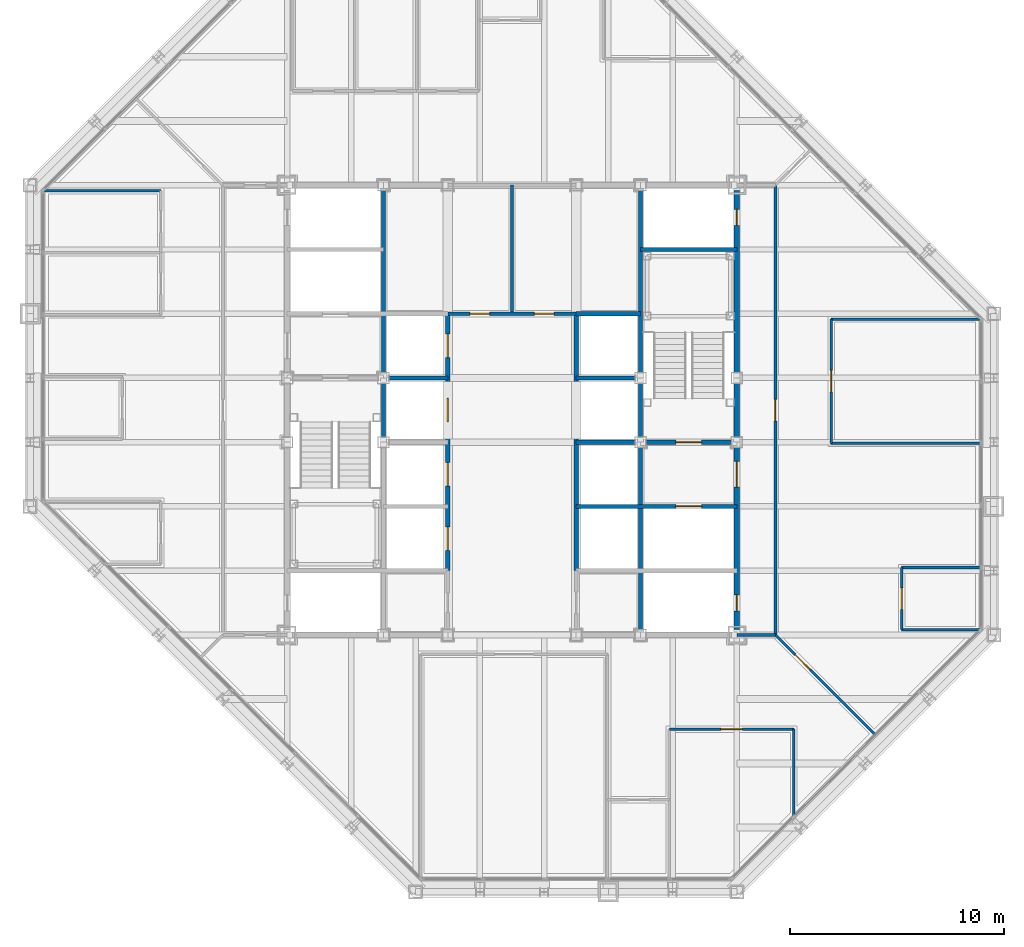
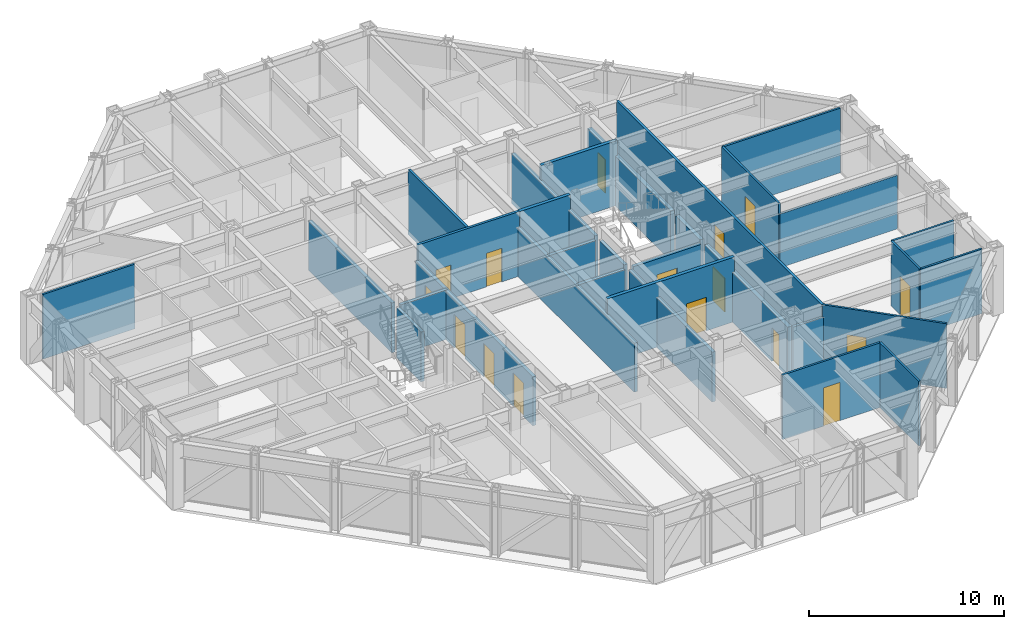
# One storey, part 12 of 16: 31 walls, 16 doors, 16 openings.
"""IFC4 building model written with IfcOpenShell, lengths in metres."""

import ifcopenshell
import ifcopenshell.guid

model = None  # the IFC model being written
_history = None  # IfcOwnerHistory: only IFC2X3 demands one
_inside = {}  # id of a spatial element -> (the spatial element, [elements in it])
_under = {}  # id of a project, library or spatial element -> (it, [spatial elements below it])
_declared = {}  # id of a project -> (the project, [libraries it declares])
_typed = {}  # id of a type object -> (the type object, [elements of that type])
_made_of = {}  # id of a material, layer set ... -> (it, [elements and type objects made of it])


def new_model(schema):
    """Start an empty IFC model of exactly this schema.

    Asked for "IFC4X3", IfcOpenShell would pick the latest addendum, in which some entities
    have other attributes; the version numbers below select the first issue.
    IFC2X3 requires an IfcOwnerHistory on every rooted entity: one is made here for all.
    """
    global model, _history
    if schema == "IFC4X3":
        model = ifcopenshell.file(schema_version=(4, 3, 0, 0))
    else:
        model = ifcopenshell.file(schema=schema)
    _inside.clear()
    _under.clear()
    _declared.clear()
    _typed.clear()
    _made_of.clear()
    _history = None
    if model.schema == "IFC2X3":
        org = make("IfcOrganization", Name="unknown")
        user = make(
            "IfcPersonAndOrganization",
            ThePerson=make("IfcPerson", FamilyName="unknown"),
            TheOrganization=org,
        )
        app = make(
            "IfcApplication",
            ApplicationDeveloper=org,
            Version="unknown",
            ApplicationFullName="unknown",
            ApplicationIdentifier="unknown",
        )
        _history = make(
            "IfcOwnerHistory",
            OwningUser=user,
            OwningApplication=app,
            ChangeAction="ADDED",
            CreationDate=0,
        )
    return model


def make(cls, **values):
    """One entity of the class cls with the attributes given. An attribute that is None is left unset."""
    return model.create_entity(
        cls, **{name: value for name, value in values.items() if value is not None}
    )


def rooted(cls, **values):
    """An entity with a GlobalId (a new one), such as an element, a storey or a relation."""
    return make(cls, GlobalId=ifcopenshell.guid.new(), OwnerHistory=_history, **values)


def si_unit(unit_type, name, prefix=None):
    """IfcSIUnit, for example si_unit("LENGTHUNIT", "METRE", prefix="MILLI")."""
    return make("IfcSIUnit", UnitType=unit_type, Prefix=prefix, Name=name)


def assignment(units):
    """IfcUnitAssignment: the units of a project."""
    return None if units is None else make("IfcUnitAssignment", Units=units)


def point(xyz):
    """IfcCartesianPoint."""
    return None if xyz is None else make("IfcCartesianPoint", Coordinates=xyz)


def direction(xyz):
    """IfcDirection."""
    return None if xyz is None else make("IfcDirection", DirectionRatios=xyz)


def frame(location, z_axis=None, x_axis=None):
    """IfcAxis2Placement3D, a coordinate frame: its origin and axes. An axis left out is left unset."""
    return make(
        "IfcAxis2Placement3D",
        Location=point(location),
        Axis=direction(z_axis),
        RefDirection=direction(x_axis),
    )


def frame_2d(location, x_axis=None):
    """IfcAxis2Placement2D, a coordinate frame in the plane: its origin and x axis."""
    return make(
        "IfcAxis2Placement2D", Location=point(location), RefDirection=direction(x_axis)
    )


def origin():
    """The frame at (0, 0, 0) with its axes left unset."""
    return frame((0.0, 0.0, 0.0))


def place(relative_to, where):
    """IfcLocalPlacement: puts the frame where relative to a parent placement (None: the world)."""
    return make(
        "IfcLocalPlacement", PlacementRelTo=relative_to, RelativePlacement=where
    )


def context(
    kind, dimensions, precision=None, world=None, true_north=None, identifier=None
):
    """IfcGeometricRepresentationContext, for example the 3D "Model" context."""
    return make(
        "IfcGeometricRepresentationContext",
        ContextIdentifier=identifier,
        ContextType=kind,
        CoordinateSpaceDimension=dimensions,
        Precision=precision,
        WorldCoordinateSystem=world,
        TrueNorth=true_north,
    )


def subcontext(parent, identifier, kind, view, scale=None):
    """IfcGeometricRepresentationSubContext, for example "Body" below "Model"."""
    return make(
        "IfcGeometricRepresentationSubContext",
        ContextIdentifier=identifier,
        ContextType=kind,
        ParentContext=parent,
        TargetScale=scale,
        TargetView=view,
    )


def project(units=None, contexts=None):
    """IfcProject with its units and contexts."""
    return rooted(
        "IfcProject",
        Name="project",
        RepresentationContexts=contexts,
        UnitsInContext=assignment(units),
    )


def spatial(cls, under=None, at=None, **own):
    """A site, building, storey or space (cls), placed at a placement, below another one or the project."""
    s = rooted(cls, ObjectPlacement=at, **own)
    if under is not None:
        _under.setdefault(under.id(), (under, []))[1].append(s)
    return s


def profile(cls, at=None, kind="AREA", **sizes):
    """A parametric profile (cls). Its sizes go by their IFC names, for example OverallWidth=200.0."""
    return make(cls, ProfileType=kind, Position=at, **sizes)


def rectangle(**sizes):
    """IfcRectangleProfileDef."""
    return profile("IfcRectangleProfileDef", **sizes)


def extrude(swept, where, along, depth):
    """IfcExtrudedAreaSolid: the profile swept, set in the frame where, extruded along a direction by depth."""
    return make(
        "IfcExtrudedAreaSolid",
        SweptArea=swept,
        Position=where,
        ExtrudedDirection=direction(along),
        Depth=depth,
    )


def shape(context_of_items, identifier, shape_type, items):
    """IfcShapeRepresentation: the items that make up one representation, for example the "Body"."""
    return make(
        "IfcShapeRepresentation",
        ContextOfItems=context_of_items,
        RepresentationIdentifier=identifier,
        RepresentationType=shape_type,
        Items=items,
    )


def material(Name=None, Category=None):
    """IfcMaterial."""
    return make("IfcMaterial", Name=Name, Category=Category)


def layer(
    of_material, thickness, ventilated=None, Name=None, Category=None, Priority=None
):
    """IfcMaterialLayer: one layer of a wall or slab, of a material (None: an air gap)."""
    return make(
        "IfcMaterialLayer",
        Material=of_material,
        LayerThickness=thickness,
        IsVentilated=ventilated,
        Name=Name,
        Category=Category,
        Priority=Priority,
    )


def layer_set(layers, Name=None):
    """IfcMaterialLayerSet."""
    return make("IfcMaterialLayerSet", MaterialLayers=layers, LayerSetName=Name)


def made_of(thing, what):
    """Note that an element or type object is made of a material, layer set ...; save() writes the relation."""
    if what is not None:
        _made_of.setdefault(what.id(), (what, []))[1].append(thing)
    return thing


def type_object(cls, material=None, **own):
    """A type object (cls), such as IfcWallType, which elements share."""
    return made_of(rooted(cls, **own), material)


def element(
    cls,
    number,
    at=None,
    inside=None,
    cuts=None,
    type_object=None,
    material=None,
    context=None,
    identifier="Body",
    shape_type=None,
    held_by="IfcProductDefinitionShape",
    body=None,
    shapes=None,
    **own,
):
    """One element of the class cls, such as IfcWall. Its Tag is "e" and its number.

    at: its placement. inside: the storey or other place that contains it. cuts: it is an
    opening in that element (IfcRelVoidsElement). A single representation is given by context,
    identifier, shape_type and body (its items); several are given by shapes. held_by: the class
    of the entity that holds the representations. save() writes the other relations.
    """
    e = rooted(cls, Tag="e%d" % number, ObjectPlacement=at, **own)
    if body is not None:
        shapes = [shape(context, identifier, shape_type, body)]
    if shapes is not None:
        e.Representation = make(held_by, Representations=shapes)
    if inside is not None:
        _inside.setdefault(inside.id(), (inside, []))[1].append(e)
    if cuts is not None:
        rooted(
            "IfcRelVoidsElement", RelatingBuildingElement=cuts, RelatedOpeningElement=e
        )
    if type_object is not None:
        _typed.setdefault(type_object.id(), (type_object, []))[1].append(e)
    return made_of(e, material)


def fill(opening, filler):
    """IfcRelFillsElement: the door or window that sits in an opening."""
    return rooted(
        "IfcRelFillsElement",
        RelatingOpeningElement=opening,
        RelatedBuildingElement=filler,
    )


def aggregate(whole, parts):
    """IfcRelAggregates: a whole, such as a stair, and the parts it consists of."""
    return rooted("IfcRelAggregates", RelatingObject=whole, RelatedObjects=parts)


def save(model, path):
    """Write the relations noted so far, then the file.

    IfcRelAggregates (storeys below a building ...), IfcRelContainedInSpatialStructure (elements
    in a storey), IfcRelDefinesByType, IfcRelAssociatesMaterial and IfcRelDeclares: one each for
    every whole, place, type object, material and project.
    """
    for whole, parts in _under.values():
        aggregate(whole, parts)
    for where, things in _inside.values():
        rooted(
            "IfcRelContainedInSpatialStructure",
            RelatedElements=things,
            RelatingStructure=where,
        )
    for kind, things in _typed.values():
        rooted("IfcRelDefinesByType", RelatedObjects=things, RelatingType=kind)
    for what, things in _made_of.values():
        rooted("IfcRelAssociatesMaterial", RelatedObjects=things, RelatingMaterial=what)
    for by, libraries in _declared.values():
        rooted("IfcRelDeclares", RelatingContext=by, RelatedDefinitions=libraries)
    model.write(path)


model = new_model("IFC4")

# Units and contexts
model_context = context("Model", 3, precision=1e-05, world=origin(), true_north=direction((0.0, 1.0)))
body_context = subcontext(model_context, "Body", "Model", "MODEL_VIEW")
ifc_project = project(units=[si_unit("LENGTHUNIT", "METRE"), si_unit("AREAUNIT", "SQUARE_METRE"), si_unit("VOLUMEUNIT", "CUBIC_METRE"), si_unit("PLANEANGLEUNIT", "RADIAN"), si_unit("MASSUNIT", "GRAM", prefix="KILO")], contexts=[model_context])

# Site, building, storey
site_placement = place(None, origin())
site = spatial("IfcSite", under=ifc_project, at=site_placement, CompositionType="ELEMENT")
building_placement = place(site_placement, origin())
building = spatial("IfcBuilding", under=site, at=building_placement, Name="Chuquiago Exchange Tower", CompositionType="ELEMENT")
storey_placement = place(building_placement, frame((0.0, 0.0, 239.10009765625)))
storey = spatial("IfcBuildingStorey", under=building, at=storey_placement, Name="L53", CompositionType="ELEMENT", Elevation=239.10009765625)

# Wall, openings, doors
ifc_material_1 = material(Name="Concrete masonry, fully grouted", Category="masonry")
ifc_layer_1 = layer(ifc_material_1, 0.25)
ifc_layer_set_1 = layer_set([ifc_layer_1], Name="W1 core wall 250")
wall_type_1 = type_object("IfcWallType", Name="W1 core wall 250", PredefinedType="SOLIDWALL", material=ifc_layer_set_1)
wall_1_placement = place(storey_placement, frame((33.0, 12.25, 0.0), z_axis=(0.0, 0.0, 1.0), x_axis=(0.0, 1.0, 0.0)))
wall_1 = element("IfcWall", 1, at=wall_1_placement, inside=storey, type_object=wall_type_1, Name="CW-L53-25-0", PredefinedType="SOLIDWALL", context=body_context, shape_type="SweptSolid", body=[
    extrude(rectangle(XDim=8.5, YDim=0.25, at=frame_2d((4.25, 0.0))), origin(), (0.0, 0.0, 1.0), 3.11279296875),
])
opening_1_placement = place(wall_1_placement, frame((6.64990234375, 0.0, 0.0)))
opening_1 = element("IfcOpeningElement", 2, at=opening_1_placement, cuts=wall_1, Name="Opening L53-004", PredefinedType="OPENING", context=body_context, shape_type="SweptSolid", body=[
    extrude(rectangle(XDim=1.199951171875, YDim=2.10009765625, at=frame_2d((0.60009765625, 1.050048828125))), frame((0.0, 0.135009765625, 0.0), z_axis=(0.0, -1.0, 0.0), x_axis=(1.0, 0.0, 0.0)), (0.0, 0.0, 1.0), 0.27001953125),
])
opening_2_placement = place(wall_1_placement, frame((0.875, 0.0, 0.0)))
opening_2 = element("IfcOpeningElement", 3, at=opening_2_placement, cuts=wall_1, Name="Opening L53-009", PredefinedType="OPENING", context=body_context, shape_type="SweptSolid", body=[
    extrude(rectangle(XDim=0.75, YDim=2.10009765625, at=frame_2d((0.375, 1.050048828125))), frame((0.0, 0.135009765625, 0.0), z_axis=(0.0, -1.0, 0.0), x_axis=(1.0, 0.0, 0.0)), (0.0, 0.0, 1.0), 0.27001953125),
])
ifc_material_2 = material(Name="Steel door, painted", Category="steel")
door_type_1 = type_object("IfcDoorType", Name="D5 firefighting lobby door 1200x2100", OperationType="SINGLE_SWING_LEFT", PredefinedType="DOOR", material=ifc_material_2)
door_1_placement = place(opening_1_placement, origin())
door_1 = element("IfcDoor", 4, at=door_1_placement, inside=storey, type_object=door_type_1, Name="Firefighting lobby 2 door", OperationType="SINGLE_SWING_RIGHT", OverallHeight=2.10009765625, OverallWidth=1.199951171875, PredefinedType="DOOR", context=body_context, shape_type="SweptSolid", body=[
    extrude(rectangle(XDim=1.199951171875, YDim=2.10009765625, at=frame_2d((0.60009765625, 1.050048828125))), frame((0.0, 0.02490234375, 0.0), z_axis=(0.0, -1.0, 0.0), x_axis=(1.0, 0.0, 0.0)), (0.0, 0.0, 1.0), 0.050048828125),
])
fill(opening_1, door_1)
ifc_material_3 = material(Name="Steel door, painted", Category="steel")
door_type_2 = type_object("IfcDoorType", Name="D6 riser access door 750x2100", OperationType="SINGLE_SWING_LEFT", PredefinedType="DOOR", material=ifc_material_3)
door_2_placement = place(opening_2_placement, frame((0.75, 0.0, 0.0), z_axis=(0.0, 0.0, 1.0), x_axis=(-1.0, 0.0, 0.0)))
door_2 = element("IfcDoor", 5, at=door_2_placement, inside=storey, type_object=door_type_2, Name="Riser RE1 door", OperationType="SINGLE_SWING_RIGHT", OverallHeight=2.10009765625, OverallWidth=0.75, PredefinedType="DOOR", context=body_context, shape_type="SweptSolid", body=[
    extrude(rectangle(XDim=0.75, YDim=2.10009765625, at=frame_2d((0.375, 1.050048828125))), frame((0.0, 0.02490234375, 0.0), z_axis=(0.0, -1.0, 0.0), x_axis=(1.0, 0.0, 0.0)), (0.0, 0.0, 1.0), 0.050048828125),
])
fill(opening_2, door_2)

# Wall
wall_2_placement = place(storey_placement, frame((33.0, 21.25, 0.0), z_axis=(0.0, 0.0, 1.0), x_axis=(0.0, 1.0, 0.0)))
element("IfcWall", 6, at=wall_2_placement, inside=storey, type_object=wall_type_1, Name="CW-L53-25-1", PredefinedType="SOLIDWALL", context=body_context, shape_type="SweptSolid", body=[
    extrude(rectangle(XDim=2.5, YDim=0.25, at=frame_2d((1.25, 0.0))), origin(), (0.0, 0.0, 1.0), 3.11279296875),
])

# Wall, opening, door
wall_3_placement = place(storey_placement, frame((33.0, 24.25, 0.0), z_axis=(0.0, 0.0, 1.0), x_axis=(0.0, 1.0, 0.0)))
wall_3 = element("IfcWall", 7, at=wall_3_placement, inside=storey, type_object=wall_type_1, Name="CW-L53-25-2", PredefinedType="SOLIDWALL", context=body_context, shape_type="SweptSolid", body=[
    extrude(rectangle(XDim=8.5, YDim=0.25, at=frame_2d((4.25, 0.0))), origin(), (0.0, 0.0, 1.0), 3.11279296875),
])
opening_3_placement = place(wall_3_placement, frame((6.875, 0.0, 0.0)))
opening_3 = element("IfcOpeningElement", 8, at=opening_3_placement, cuts=wall_3, Name="Opening L53-010", PredefinedType="OPENING", context=body_context, shape_type="SweptSolid", body=[
    extrude(rectangle(XDim=0.75, YDim=2.10009765625, at=frame_2d((0.375, 1.050048828125))), frame((0.0, 0.135009765625, 0.0), z_axis=(0.0, -1.0, 0.0), x_axis=(1.0, 0.0, 0.0)), (0.0, 0.0, 1.0), 0.27001953125),
])
door_3_placement = place(opening_3_placement, frame((0.75, 0.0, 0.0), z_axis=(0.0, 0.0, 1.0), x_axis=(-1.0, 0.0, 0.0)))
door_3 = element("IfcDoor", 9, at=door_3_placement, inside=storey, type_object=door_type_2, Name="Riser RE2 door", OperationType="SINGLE_SWING_LEFT", OverallHeight=2.10009765625, OverallWidth=0.75, PredefinedType="DOOR", context=body_context, shape_type="SweptSolid", body=[
    extrude(rectangle(XDim=0.75, YDim=2.10009765625, at=frame_2d((0.375, 1.050048828125))), frame((0.0, 0.02490234375, 0.0), z_axis=(0.0, -1.0, 0.0), x_axis=(1.0, 0.0, 0.0)), (0.0, 0.0, 1.0), 0.050048828125),
])
fill(opening_3, door_3)

ifc_material_4 = material(Name="Gypsum board on steel studs, acoustic insulation", Category="steel")
ifc_layer_2 = layer(ifc_material_4, 0.14990234375)
ifc_layer_set_2 = layer_set([ifc_layer_2], Name="W11 corridor wall 150")
wall_type_2 = type_object("IfcWallType", Name="W11 corridor wall 150", PredefinedType="PARTITIONING", material=ifc_layer_set_2)
wall_4_placement = place(storey_placement, frame((34.800048828125, 12.0, 0.0), z_axis=(0.0, 0.0, 1.0), x_axis=(0.0, 1.0, 0.0)))
wall_4 = element("IfcWall", 10, at=wall_4_placement, inside=storey, type_object=wall_type_2, Name="PW-L53-GE0", PredefinedType="PARTITIONING", context=body_context, shape_type="SweptSolid", body=[
    extrude(rectangle(XDim=21.0, YDim=0.14990234375, at=frame_2d((10.5, 0.0))), origin(), (0.0, 0.0, 1.0), 4.039794921875),
])
opening_4_placement = place(wall_4_placement, frame((10.0, 0.0, 0.0)))
opening_4 = element("IfcOpeningElement", 11, at=opening_4_placement, cuts=wall_4, Name="Opening L53-036", PredefinedType="OPENING", context=body_context, shape_type="SweptSolid", body=[
    extrude(rectangle(XDim=1.0, YDim=2.39990234375, at=frame_2d((0.5, 1.199951171875))), frame((0.0, 0.0849609375, 0.0), z_axis=(0.0, -1.0, 0.0), x_axis=(1.0, 0.0, 0.0)), (0.0, 0.0, 1.0), 0.169921875),
])
ifc_material_5 = material(Name="Timber door, laminate faced", Category="wood")
door_type_3 = type_object("IfcDoorType", Name="D9 room door 1000x2400", OperationType="SINGLE_SWING_LEFT", PredefinedType="DOOR", material=ifc_material_5)
door_4_placement = place(opening_4_placement, frame((1.0, 0.0, 0.0), z_axis=(0.0, 0.0, 1.0), x_axis=(-1.0, 0.0, 0.0)))
door_4 = element("IfcDoor", 12, at=door_4_placement, inside=storey, type_object=door_type_3, Name="Team area door", OperationType="SINGLE_SWING_RIGHT", OverallHeight=2.39990234375, OverallWidth=1.0, PredefinedType="DOOR", context=body_context, shape_type="SweptSolid", body=[
    extrude(rectangle(XDim=1.0, YDim=2.39990234375, at=frame_2d((0.5, 1.199951171875))), frame((0.0, 0.02490234375, 0.0), z_axis=(0.0, -1.0, 0.0), x_axis=(1.0, 0.0, 0.0)), (0.0, 0.0, 1.0), 0.050048828125),
])
fill(opening_4, door_4)

# Walls
wall_5_placement = place(storey_placement, frame((33.0, 12.0, 0.0), z_axis=(0.0, 0.0, 1.0), x_axis=(1.0, 0.0, 0.0)))
element("IfcWall", 13, at=wall_5_placement, inside=storey, type_object=wall_type_2, Name="PW-L53-GES0", PredefinedType="PARTITIONING", context=body_context, shape_type="SweptSolid", body=[
    extrude(rectangle(XDim=1.800048828125, YDim=0.14990234375, at=frame_2d((0.89990234375, 0.0))), origin(), (0.0, 0.0, 1.0), 3.270263671875),
])
ifc_material_6 = material(Name="Concrete masonry, fully grouted", Category="masonry")
ifc_layer_3 = layer(ifc_material_6, 0.199951171875)
ifc_layer_set_3 = layer_set([ifc_layer_3], Name="W2 shaft wall 200")
wall_type_3 = type_object("IfcWallType", Name="W2 shaft wall 200", PredefinedType="SOLIDWALL", material=ifc_layer_set_3)
for number, where, z_axis, x_axis, name in (
    (14, (16.75, 24.0, 0.0), (0.0, 0.0, 1.0), (1.0, 0.0, 0.0), "CW-L53-05-1"),
    (15, (25.5, 24.0, 0.0), (0.0, 0.0, 1.0), (1.0, 0.0, 0.0), "CW-L53-06-0"),
):
    element("IfcWall", number, at=place(storey_placement, frame(where, z_axis=z_axis, x_axis=x_axis)), inside=storey, type_object=wall_type_3, Name=name, PredefinedType="SOLIDWALL", context=body_context, shape_type="SweptSolid", body=[
        extrude(rectangle(XDim=2.75, YDim=0.199951171875, at=frame_2d((1.375, 0.0))), origin(), (0.0, 0.0, 1.0), 3.08984375),
    ])
wall_6_placement = place(storey_placement, frame((25.5, 27.0, 0.0), z_axis=(0.0, 0.0, 1.0), x_axis=(1.0, 0.0, 0.0)))
element("IfcWall", 16, at=wall_6_placement, inside=storey, type_object=wall_type_3, Name="CW-L53-08-0", PredefinedType="SOLIDWALL", context=body_context, shape_type="SweptSolid", body=[
    extrude(rectangle(XDim=3.0, YDim=0.199951171875, at=frame_2d((1.5, 0.0))), origin(), (0.0, 0.0, 1.0), 4.039794921875),
])
wall_7_placement = place(storey_placement, frame((28.5, 30.0, 0.0), z_axis=(0.0, 0.0, 1.0), x_axis=(1.0, 0.0, 0.0)))
element("IfcWall", 17, at=wall_7_placement, inside=storey, type_object=wall_type_3, Name="CW-L53-10-0", PredefinedType="SOLIDWALL", context=body_context, shape_type="SweptSolid", body=[
    extrude(rectangle(XDim=4.5, YDim=0.199951171875, at=frame_2d((2.25, 0.0))), origin(), (0.0, 0.0, 1.0), 4.039794921875),
])
wall_8_placement = place(storey_placement, frame((16.5, 21.25, 0.0), z_axis=(0.0, 0.0, 1.0), x_axis=(0.0, 1.0, 0.0)))
element("IfcWall", 18, at=wall_8_placement, inside=storey, type_object=wall_type_3, Name="CW-L53-13-1", PredefinedType="SOLIDWALL", context=body_context, shape_type="SweptSolid", body=[
    extrude(rectangle(XDim=2.5, YDim=0.199951171875, at=frame_2d((1.25, 0.0))), origin(), (0.0, 0.0, 1.0), 3.11279296875),
])
wall_9_placement = place(storey_placement, frame((16.5, 24.25, 0.0), z_axis=(0.0, 0.0, 1.0), x_axis=(0.0, 1.0, 0.0)))
element("IfcWall", 19, at=wall_9_placement, inside=storey, type_object=wall_type_3, Name="CW-L53-13-2", PredefinedType="SOLIDWALL", context=body_context, shape_type="SweptSolid", body=[
    extrude(rectangle(XDim=8.5, YDim=0.199951171875, at=frame_2d((4.25, 0.0))), origin(), (0.0, 0.0, 1.0), 3.11279296875),
])

# Wall, opening, door
wall_10_placement = place(storey_placement, frame((25.5, 18.0, 0.0), z_axis=(0.0, 0.0, 1.0), x_axis=(1.0, 0.0, 0.0)))
wall_10 = element("IfcWall", 20, at=wall_10_placement, inside=storey, type_object=wall_type_3, Name="CW-L53-15-0", PredefinedType="SOLIDWALL", context=body_context, shape_type="SweptSolid", body=[
    extrude(rectangle(XDim=7.5, YDim=0.199951171875, at=frame_2d((3.75, 0.0))), origin(), (0.0, 0.0, 1.0), 4.039794921875),
])
opening_5_placement = place(wall_10_placement, frame((4.64990234375, 0.0, 0.0)))
opening_5 = element("IfcOpeningElement", 21, at=opening_5_placement, cuts=wall_10, Name="Opening L53-006", PredefinedType="OPENING", context=body_context, shape_type="SweptSolid", body=[
    extrude(rectangle(XDim=1.199951171875, YDim=2.10009765625, at=frame_2d((0.60009765625, 1.050048828125))), frame((0.0, 0.10986328125, 0.0), z_axis=(0.0, -1.0, 0.0), x_axis=(1.0, 0.0, 0.0)), (0.0, 0.0, 1.0), 0.219970703125),
])
ifc_material_7 = material(Name="Stainless steel lift landing door", Category="steel")
door_type_4 = type_object("IfcDoorType", Name="LD2 firefighting lift landing door 1200x2100", OperationType="DOUBLE_DOOR_SLIDING", PredefinedType="DOOR", material=ifc_material_7)
door_5_placement = place(opening_5_placement, origin())
door_5 = element("IfcDoor", 22, at=door_5_placement, inside=storey, type_object=door_type_4, Name="Firefighting lift FL2 landing door", OperationType="DOUBLE_DOOR_SLIDING", OverallHeight=2.10009765625, OverallWidth=1.199951171875, PredefinedType="DOOR", context=body_context, shape_type="SweptSolid", body=[
    extrude(rectangle(XDim=1.199951171875, YDim=2.10009765625, at=frame_2d((0.60009765625, 1.050048828125))), frame((0.0, 0.02490234375, 0.0), z_axis=(0.0, -1.0, 0.0), x_axis=(1.0, 0.0, 0.0)), (0.0, 0.0, 1.0), 0.050048828125),
])
fill(opening_5, door_5)

# Wall
wall_11_placement = place(storey_placement, frame((25.5, 21.0, 0.0), z_axis=(0.0, 0.0, 1.0), x_axis=(1.0, 0.0, 0.0)))
element("IfcWall", 23, at=wall_11_placement, inside=storey, type_object=wall_type_3, Name="CW-L53-17-0", PredefinedType="SOLIDWALL", context=body_context, shape_type="SweptSolid", body=[
    extrude(rectangle(XDim=2.75, YDim=0.199951171875, at=frame_2d((1.375, 0.0))), origin(), (0.0, 0.0, 1.0), 3.08984375),
])

# Wall, opening, door
wall_12_placement = place(storey_placement, frame((28.75, 21.0, 0.0), z_axis=(0.0, 0.0, 1.0), x_axis=(1.0, 0.0, 0.0)))
wall_12 = element("IfcWall", 24, at=wall_12_placement, inside=storey, type_object=wall_type_3, Name="CW-L53-17-1", PredefinedType="SOLIDWALL", context=body_context, shape_type="SweptSolid", body=[
    extrude(rectangle(XDim=4.0, YDim=0.199951171875, at=frame_2d((2.0, 0.0))), origin(), (0.0, 0.0, 1.0), 3.08984375),
])
opening_6_placement = place(wall_12_placement, frame((1.39990234375, 0.0, 0.0)))
opening_6 = element("IfcOpeningElement", 25, at=opening_6_placement, cuts=wall_12, Name="Opening L53-003", PredefinedType="OPENING", context=body_context, shape_type="SweptSolid", body=[
    extrude(rectangle(XDim=1.199951171875, YDim=2.10009765625, at=frame_2d((0.60009765625, 1.050048828125))), frame((0.0, 0.10986328125, 0.0), z_axis=(0.0, -1.0, 0.0), x_axis=(1.0, 0.0, 0.0)), (0.0, 0.0, 1.0), 0.219970703125),
])
ifc_material_8 = material(Name="Steel door, painted", Category="steel")
door_type_5 = type_object("IfcDoorType", Name="D4 stair door 1200x2100", OperationType="SINGLE_SWING_LEFT", PredefinedType="DOOR", material=ifc_material_8)
door_6_placement = place(opening_6_placement, origin())
door_6 = element("IfcDoor", 26, at=door_6_placement, inside=storey, type_object=door_type_5, Name="Stair ST2 door", OperationType="SINGLE_SWING_LEFT", OverallHeight=2.10009765625, OverallWidth=1.199951171875, PredefinedType="DOOR", context=body_context, shape_type="SweptSolid", body=[
    extrude(rectangle(XDim=1.199951171875, YDim=2.10009765625, at=frame_2d((0.60009765625, 1.050048828125))), frame((0.0, 0.02490234375, 0.0), z_axis=(0.0, -1.0, 0.0), x_axis=(1.0, 0.0, 0.0)), (0.0, 0.0, 1.0), 0.050048828125),
])
fill(opening_6, door_6)

# Wall, openings, doors
wall_13_placement = place(storey_placement, frame((19.5, 15.0, 0.0), z_axis=(0.0, 0.0, 1.0), x_axis=(0.0, 1.0, 0.0)))
wall_13 = element("IfcWall", 27, at=wall_13_placement, inside=storey, type_object=wall_type_3, Name="CW-L53-19-0", PredefinedType="SOLIDWALL", context=body_context, shape_type="SweptSolid", body=[
    extrude(rectangle(XDim=12.0, YDim=0.199951171875, at=frame_2d((6.0, 0.0))), origin(), (0.0, 0.0, 1.0), 3.064453125),
])
opening_7_placement = place(wall_13_placement, frame((0.949951171875, 0.0, 0.0)))
opening_7 = element("IfcOpeningElement", 28, at=opening_7_placement, cuts=wall_13, Name="Opening L53-015", PredefinedType="OPENING", context=body_context, shape_type="SweptSolid", body=[
    extrude(rectangle(XDim=1.10009765625, YDim=2.10009765625, at=frame_2d((0.550048828125, 1.050048828125))), frame((0.0, 0.10986328125, 0.0), z_axis=(0.0, -1.0, 0.0), x_axis=(1.0, 0.0, 0.0)), (0.0, 0.0, 1.0), 0.219970703125),
])
opening_8_placement = place(wall_13_placement, frame((3.949951171875, 0.0, 0.0)))
opening_8 = element("IfcOpeningElement", 29, at=opening_8_placement, cuts=wall_13, Name="Opening L53-016", PredefinedType="OPENING", context=body_context, shape_type="SweptSolid", body=[
    extrude(rectangle(XDim=1.10009765625, YDim=2.10009765625, at=frame_2d((0.550048828125, 1.050048828125))), frame((0.0, 0.10986328125, 0.0), z_axis=(0.0, -1.0, 0.0), x_axis=(1.0, 0.0, 0.0)), (0.0, 0.0, 1.0), 0.219970703125),
])
opening_9_placement = place(wall_13_placement, frame((6.949951171875, 0.0, 0.0)))
opening_9 = element("IfcOpeningElement", 30, at=opening_9_placement, cuts=wall_13, Name="Opening L53-017", PredefinedType="OPENING", context=body_context, shape_type="SweptSolid", body=[
    extrude(rectangle(XDim=1.10009765625, YDim=2.10009765625, at=frame_2d((0.550048828125, 1.050048828125))), frame((0.0, 0.10986328125, 0.0), z_axis=(0.0, -1.0, 0.0), x_axis=(1.0, 0.0, 0.0)), (0.0, 0.0, 1.0), 0.219970703125),
])
opening_10_placement = place(wall_13_placement, frame((9.949951171875, 0.0, 0.0)))
opening_10 = element("IfcOpeningElement", 31, at=opening_10_placement, cuts=wall_13, Name="Opening L53-018", PredefinedType="OPENING", context=body_context, shape_type="SweptSolid", body=[
    extrude(rectangle(XDim=1.10009765625, YDim=2.10009765625, at=frame_2d((0.550048828125, 1.050048828125))), frame((0.0, 0.10986328125, 0.0), z_axis=(0.0, -1.0, 0.0), x_axis=(1.0, 0.0, 0.0)), (0.0, 0.0, 1.0), 0.219970703125),
])
ifc_material_9 = material(Name="Stainless steel lift landing door", Category="steel")
door_type_6 = type_object("IfcDoorType", Name="LD1 lift landing door 1100x2100", OperationType="DOUBLE_DOOR_SLIDING", PredefinedType="DOOR", material=ifc_material_9)
door_7_placement = place(opening_7_placement, origin())
door_7 = element("IfcDoor", 32, at=door_7_placement, inside=storey, type_object=door_type_6, Name="Lift LC1 landing door", OperationType="DOUBLE_DOOR_SLIDING", OverallHeight=2.10009765625, OverallWidth=1.10009765625, PredefinedType="DOOR", context=body_context, shape_type="SweptSolid", body=[
    extrude(rectangle(XDim=1.10009765625, YDim=2.10009765625, at=frame_2d((0.550048828125, 1.050048828125))), frame((0.0, 0.02490234375, 0.0), z_axis=(0.0, -1.0, 0.0), x_axis=(1.0, 0.0, 0.0)), (0.0, 0.0, 1.0), 0.050048828125),
])
fill(opening_7, door_7)
door_8_placement = place(opening_8_placement, origin())
door_8 = element("IfcDoor", 33, at=door_8_placement, inside=storey, type_object=door_type_6, Name="Lift LC2 landing door", OperationType="DOUBLE_DOOR_SLIDING", OverallHeight=2.10009765625, OverallWidth=1.10009765625, PredefinedType="DOOR", context=body_context, shape_type="SweptSolid", body=[
    extrude(rectangle(XDim=1.10009765625, YDim=2.10009765625, at=frame_2d((0.550048828125, 1.050048828125))), frame((0.0, 0.02490234375, 0.0), z_axis=(0.0, -1.0, 0.0), x_axis=(1.0, 0.0, 0.0)), (0.0, 0.0, 1.0), 0.050048828125),
])
fill(opening_8, door_8)
door_9_placement = place(opening_9_placement, origin())
door_9 = element("IfcDoor", 34, at=door_9_placement, inside=storey, type_object=door_type_6, Name="Lift LC3 landing door", OperationType="DOUBLE_DOOR_SLIDING", OverallHeight=2.10009765625, OverallWidth=1.10009765625, PredefinedType="DOOR", context=body_context, shape_type="SweptSolid", body=[
    extrude(rectangle(XDim=1.10009765625, YDim=2.10009765625, at=frame_2d((0.550048828125, 1.050048828125))), frame((0.0, 0.02490234375, 0.0), z_axis=(0.0, -1.0, 0.0), x_axis=(1.0, 0.0, 0.0)), (0.0, 0.0, 1.0), 0.050048828125),
])
fill(opening_9, door_9)
door_10_placement = place(opening_10_placement, origin())
door_10 = element("IfcDoor", 35, at=door_10_placement, inside=storey, type_object=door_type_6, Name="Lift LC4 landing door", OperationType="DOUBLE_DOOR_SLIDING", OverallHeight=2.10009765625, OverallWidth=1.10009765625, PredefinedType="DOOR", context=body_context, shape_type="SweptSolid", body=[
    extrude(rectangle(XDim=1.10009765625, YDim=2.10009765625, at=frame_2d((0.550048828125, 1.050048828125))), frame((0.0, 0.02490234375, 0.0), z_axis=(0.0, -1.0, 0.0), x_axis=(1.0, 0.0, 0.0)), (0.0, 0.0, 1.0), 0.050048828125),
])
fill(opening_10, door_10)

# Walls
wall_14_placement = place(storey_placement, frame((25.5, 15.0, 0.0), z_axis=(0.0, 0.0, 1.0), x_axis=(0.0, 1.0, 0.0)))
element("IfcWall", 36, at=wall_14_placement, inside=storey, type_object=wall_type_3, Name="CW-L53-22-0", PredefinedType="SOLIDWALL", context=body_context, shape_type="SweptSolid", body=[
    extrude(rectangle(XDim=12.0, YDim=0.199951171875, at=frame_2d((6.0, 0.0))), origin(), (0.0, 0.0, 1.0), 3.064453125),
])
wall_15_placement = place(storey_placement, frame((28.5, 12.25, 0.0), z_axis=(0.0, 0.0, 1.0), x_axis=(0.0, 1.0, 0.0)))
element("IfcWall", 37, at=wall_15_placement, inside=storey, type_object=wall_type_3, Name="CW-L53-24-0", PredefinedType="SOLIDWALL", context=body_context, shape_type="SweptSolid", body=[
    extrude(rectangle(XDim=8.5, YDim=0.199951171875, at=frame_2d((4.25, 0.0))), origin(), (0.0, 0.0, 1.0), 3.11279296875),
])
wall_16_placement = place(storey_placement, frame((28.5, 21.25, 0.0), z_axis=(0.0, 0.0, 1.0), x_axis=(0.0, 1.0, 0.0)))
element("IfcWall", 38, at=wall_16_placement, inside=storey, type_object=wall_type_3, Name="CW-L53-24-1", PredefinedType="SOLIDWALL", context=body_context, shape_type="SweptSolid", body=[
    extrude(rectangle(XDim=2.5, YDim=0.199951171875, at=frame_2d((1.25, 0.0))), origin(), (0.0, 0.0, 1.0), 3.11279296875),
])
wall_17_placement = place(storey_placement, frame((28.5, 24.25, 0.0), z_axis=(0.0, 0.0, 1.0), x_axis=(0.0, 1.0, 0.0)))
element("IfcWall", 39, at=wall_17_placement, inside=storey, type_object=wall_type_3, Name="CW-L53-24-2", PredefinedType="SOLIDWALL", context=body_context, shape_type="SweptSolid", body=[
    extrude(rectangle(XDim=8.5, YDim=0.199951171875, at=frame_2d((4.25, 0.0))), origin(), (0.0, 0.0, 1.0), 3.11279296875),
])

# Wall, openings, doors
ifc_material_10 = material(Name="Gypsum board on steel studs", Category="steel")
ifc_layer_4 = layer(ifc_material_10, 0.14990234375)
ifc_layer_set_4 = layer_set([ifc_layer_4], Name="W3 core partition 150")
wall_type_4 = type_object("IfcWallType", Name="W3 core partition 150", PredefinedType="PARTITIONING", material=ifc_layer_set_4)
wall_18_placement = place(storey_placement, frame((19.5, 27.0, 0.0), z_axis=(0.0, 0.0, 1.0), x_axis=(1.0, 0.0, 0.0)))
wall_18 = element("IfcWall", 40, at=wall_18_placement, inside=storey, type_object=wall_type_4, Name="CW-L53-TF", PredefinedType="PARTITIONING", context=body_context, shape_type="SweptSolid", body=[
    extrude(rectangle(XDim=6.0, YDim=0.14990234375, at=frame_2d((3.0, 0.0))), origin(), (0.0, 0.0, 1.0), 4.039794921875),
])
opening_11_placement = place(wall_18_placement, frame((1.050048828125, 0.0, 0.0)))
opening_11 = element("IfcOpeningElement", 41, at=opening_11_placement, cuts=wall_18, Name="Opening L53-011", PredefinedType="OPENING", context=body_context, shape_type="SweptSolid", body=[
    extrude(rectangle(XDim=0.89990234375, YDim=2.10009765625, at=frame_2d((0.449951171875, 1.050048828125))), frame((0.0, 0.0849609375, 0.0), z_axis=(0.0, -1.0, 0.0), x_axis=(1.0, 0.0, 0.0)), (0.0, 0.0, 1.0), 0.169921875),
])
opening_12_placement = place(wall_18_placement, frame((4.050048828125, 0.0, 0.0)))
opening_12 = element("IfcOpeningElement", 42, at=opening_12_placement, cuts=wall_18, Name="Opening L53-012", PredefinedType="OPENING", context=body_context, shape_type="SweptSolid", body=[
    extrude(rectangle(XDim=0.89990234375, YDim=2.10009765625, at=frame_2d((0.449951171875, 1.050048828125))), frame((0.0, 0.0849609375, 0.0), z_axis=(0.0, -1.0, 0.0), x_axis=(1.0, 0.0, 0.0)), (0.0, 0.0, 1.0), 0.169921875),
])
ifc_material_11 = material(Name="Timber door, laminate faced", Category="wood")
door_type_7 = type_object("IfcDoorType", Name="D7 toilet door 900x2100", OperationType="SINGLE_SWING_LEFT", PredefinedType="DOOR", material=ifc_material_11)
door_11_placement = place(opening_11_placement, origin())
door_11 = element("IfcDoor", 43, at=door_11_placement, inside=storey, type_object=door_type_7, Name="Male WC door", OperationType="SINGLE_SWING_RIGHT", OverallHeight=2.10009765625, OverallWidth=0.89990234375, PredefinedType="DOOR", context=body_context, shape_type="SweptSolid", body=[
    extrude(rectangle(XDim=0.89990234375, YDim=2.10009765625, at=frame_2d((0.449951171875, 1.050048828125))), frame((0.0, 0.02490234375, 0.0), z_axis=(0.0, -1.0, 0.0), x_axis=(1.0, 0.0, 0.0)), (0.0, 0.0, 1.0), 0.050048828125),
])
fill(opening_11, door_11)
door_12_placement = place(opening_12_placement, origin())
door_12 = element("IfcDoor", 44, at=door_12_placement, inside=storey, type_object=door_type_7, Name="Female WC door", OperationType="SINGLE_SWING_LEFT", OverallHeight=2.10009765625, OverallWidth=0.89990234375, PredefinedType="DOOR", context=body_context, shape_type="SweptSolid", body=[
    extrude(rectangle(XDim=0.89990234375, YDim=2.10009765625, at=frame_2d((0.449951171875, 1.050048828125))), frame((0.0, 0.02490234375, 0.0), z_axis=(0.0, -1.0, 0.0), x_axis=(1.0, 0.0, 0.0)), (0.0, 0.0, 1.0), 0.050048828125),
])
fill(opening_12, door_12)

# Walls
wall_19_placement = place(storey_placement, frame((22.5, 27.0, 0.0), z_axis=(0.0, 0.0, 1.0), x_axis=(0.0, 1.0, 0.0)))
element("IfcWall", 45, at=wall_19_placement, inside=storey, type_object=wall_type_4, Name="CW-L53-TM", PredefinedType="PARTITIONING", context=body_context, shape_type="SweptSolid", body=[
    extrude(rectangle(XDim=6.0, YDim=0.14990234375, at=frame_2d((3.0, 0.0))), origin(), (0.0, 0.0, 1.0), 4.039794921875),
])
ifc_material_12 = material(Name="Gypsum board on steel studs", Category="steel")
ifc_layer_5 = layer(ifc_material_12, 0.1201171875)
ifc_layer_set_5 = layer_set([ifc_layer_5], Name="W4 partition 120")
wall_type_5 = type_object("IfcWallType", Name="W4 partition 120", PredefinedType="PARTITIONING", material=ifc_layer_set_5)
wall_20_placement = place(storey_placement, frame((35.66357421875, 3.578125, 0.0), z_axis=(0.0, 0.0, 1.0), x_axis=(0.0, 1.0, 0.0)))
element("IfcWall", 46, at=wall_20_placement, inside=storey, type_object=wall_type_5, Name="PW-L53-S03566", PredefinedType="PARTITIONING", context=body_context, shape_type="SweptSolid", body=[
    extrude(rectangle(XDim=4.02197265625, YDim=0.1201171875, at=frame_2d((2.010986328125, 0.0))), origin(), (0.0, 0.0, 1.0), 4.039794921875),
])

# Wall, opening, door
wall_21_placement = place(storey_placement, frame((29.850830078125, 7.60009765625, 0.0), z_axis=(0.0, 0.0, 1.0), x_axis=(1.0, 0.0, 0.0)))
wall_21 = element("IfcWall", 47, at=wall_21_placement, inside=storey, type_object=wall_type_5, Name="PW-L53-SF02985", PredefinedType="PARTITIONING", context=body_context, shape_type="SweptSolid", body=[
    extrude(rectangle(XDim=5.812744140625, YDim=0.1201171875, at=frame_2d((2.90625, 0.0))), origin(), (0.0, 0.0, 1.0), 4.039794921875),
])
opening_13_placement = place(wall_21_placement, frame((2.406494140625, 0.0, 0.0)))
opening_13 = element("IfcOpeningElement", 48, at=opening_13_placement, cuts=wall_21, Name="Opening L53-021", PredefinedType="OPENING", context=body_context, shape_type="SweptSolid", body=[
    extrude(rectangle(XDim=1.0, YDim=2.39990234375, at=frame_2d((0.5, 1.199951171875))), frame((0.0, 0.070068359375, 0.0), z_axis=(0.0, -1.0, 0.0), x_axis=(1.0, 0.0, 0.0)), (0.0, 0.0, 1.0), 0.14013671875),
])
door_13_placement = place(opening_13_placement, frame((1.0, 0.0, 0.0), z_axis=(0.0, 0.0, 1.0), x_axis=(-1.0, 0.0, 0.0)))
door_13 = element("IfcDoor", 49, at=door_13_placement, inside=storey, type_object=door_type_3, Name="Risk management office door", OperationType="SINGLE_SWING_LEFT", OverallHeight=2.39990234375, OverallWidth=1.0, PredefinedType="DOOR", context=body_context, shape_type="SweptSolid", body=[
    extrude(rectangle(XDim=1.0, YDim=2.39990234375, at=frame_2d((0.5, 1.199951171875))), frame((0.0, 0.02490234375, 0.0), z_axis=(0.0, -1.0, 0.0), x_axis=(1.0, 0.0, 0.0)), (0.0, 0.0, 1.0), 0.050048828125),
])
fill(opening_13, door_13)

# Walls
wall_22_placement = place(storey_placement, frame((44.333984375, 12.24853515625, 0.0), z_axis=(0.0, 0.0, 1.0), x_axis=(-1.0, 0.0, 0.0)))
element("IfcWall", 50, at=wall_22_placement, inside=storey, type_object=wall_type_5, Name="PW-L53-E01225", PredefinedType="PARTITIONING", context=body_context, shape_type="SweptSolid", body=[
    extrude(rectangle(XDim=3.634033203125, YDim=0.1201171875, at=frame_2d((1.81689453125, 0.0))), origin(), (0.0, 0.0, 1.0), 4.039794921875),
])
wall_23_placement = place(storey_placement, frame((44.347412109375, 15.149169921875, 0.0), z_axis=(0.0, 0.0, 1.0), x_axis=(-1.0, 0.0, 0.0)))
element("IfcWall", 51, at=wall_23_placement, inside=storey, type_object=wall_type_5, Name="PW-L53-E01515", PredefinedType="PARTITIONING", context=body_context, shape_type="SweptSolid", body=[
    extrude(rectangle(XDim=3.6474609375, YDim=0.1201171875, at=frame_2d((1.82373046875, 0.0))), origin(), (0.0, 0.0, 1.0), 4.039794921875),
])
wall_24_placement = place(storey_placement, frame((44.347412109375, 20.9501953125, 0.0), z_axis=(0.0, 0.0, 1.0), x_axis=(-1.0, 0.0, 0.0)))
element("IfcWall", 52, at=wall_24_placement, inside=storey, type_object=wall_type_5, Name="PW-L53-E02095", PredefinedType="PARTITIONING", context=body_context, shape_type="SweptSolid", body=[
    extrude(rectangle(XDim=6.947509765625, YDim=0.1201171875, at=frame_2d((3.4736328125, 0.0))), origin(), (0.0, 0.0, 1.0), 3.356689453125),
])
wall_25_placement = place(storey_placement, frame((44.333984375, 26.75146484375, 0.0), z_axis=(0.0, 0.0, 1.0), x_axis=(-1.0, 0.0, 0.0)))
element("IfcWall", 53, at=wall_25_placement, inside=storey, type_object=wall_type_5, Name="PW-L53-E02675", PredefinedType="PARTITIONING", context=body_context, shape_type="SweptSolid", body=[
    extrude(rectangle(XDim=6.93408203125, YDim=0.1201171875, at=frame_2d((3.467041015625, 0.0))), origin(), (0.0, 0.0, 1.0), 4.039794921875),
])

# Wall, opening, door
wall_26_placement = place(storey_placement, frame((40.699951171875, 12.24853515625, 0.0), z_axis=(0.0, 0.0, 1.0), x_axis=(0.0, 1.0, 0.0)))
wall_26 = element("IfcWall", 54, at=wall_26_placement, inside=storey, type_object=wall_type_5, Name="PW-L53-EF01225", PredefinedType="PARTITIONING", context=body_context, shape_type="SweptSolid", body=[
    extrude(rectangle(XDim=2.900634765625, YDim=0.1201171875, at=frame_2d((1.4501953125, 0.0))), origin(), (0.0, 0.0, 1.0), 4.039794921875),
])
opening_14_placement = place(wall_26_placement, frame((0.9501953125, 0.0, 0.0)))
opening_14 = element("IfcOpeningElement", 55, at=opening_14_placement, cuts=wall_26, Name="Opening L53-022", PredefinedType="OPENING", context=body_context, shape_type="SweptSolid", body=[
    extrude(rectangle(XDim=1.0, YDim=2.39990234375, at=frame_2d((0.5, 1.199951171875))), frame((0.0, 0.070068359375, 0.0), z_axis=(0.0, -1.0, 0.0), x_axis=(1.0, 0.0, 0.0)), (0.0, 0.0, 1.0), 0.14013671875),
])
ifc_material_13 = material(Name="Timber frame door, full height glazed panel", Category="wood")
door_type_8 = type_object("IfcDoorType", Name="D14 glazed meeting room door 1000x2400", OperationType="SINGLE_SWING_LEFT", PredefinedType="DOOR", material=ifc_material_13)
door_14_placement = place(opening_14_placement, frame((1.0, 0.0, 0.0), z_axis=(0.0, 0.0, 1.0), x_axis=(-1.0, 0.0, 0.0)))
door_14 = element("IfcDoor", 56, at=door_14_placement, inside=storey, type_object=door_type_8, Name="Focus room door", OperationType="SINGLE_SWING_RIGHT", OverallHeight=2.39990234375, OverallWidth=1.0, PredefinedType="DOOR", context=body_context, shape_type="SweptSolid", body=[
    extrude(rectangle(XDim=1.0, YDim=2.39990234375, at=frame_2d((0.5, 1.199951171875))), frame((0.0, 0.02490234375, 0.0), z_axis=(0.0, -1.0, 0.0), x_axis=(1.0, 0.0, 0.0)), (0.0, 0.0, 1.0), 0.050048828125),
])
fill(opening_14, door_14)

wall_27_placement = place(storey_placement, frame((37.39990234375, 20.9501953125, 0.0), z_axis=(0.0, 0.0, 1.0), x_axis=(0.0, 1.0, 0.0)))
wall_27 = element("IfcWall", 57, at=wall_27_placement, inside=storey, type_object=wall_type_5, Name="PW-L53-EF02095", PredefinedType="PARTITIONING", context=body_context, shape_type="SweptSolid", body=[
    extrude(rectangle(XDim=5.80126953125, YDim=0.1201171875, at=frame_2d((2.900634765625, 0.0))), origin(), (0.0, 0.0, 1.0), 4.039794921875),
])
opening_15_placement = place(wall_27_placement, frame((2.400634765625, 0.0, 0.0)))
opening_15 = element("IfcOpeningElement", 58, at=opening_15_placement, cuts=wall_27, Name="Opening L53-023", PredefinedType="OPENING", context=body_context, shape_type="SweptSolid", body=[
    extrude(rectangle(XDim=1.0, YDim=2.39990234375, at=frame_2d((0.5, 1.199951171875))), frame((0.0, 0.070068359375, 0.0), z_axis=(0.0, -1.0, 0.0), x_axis=(1.0, 0.0, 0.0)), (0.0, 0.0, 1.0), 0.14013671875),
])
door_15_placement = place(opening_15_placement, frame((1.0, 0.0, 0.0), z_axis=(0.0, 0.0, 1.0), x_axis=(-1.0, 0.0, 0.0)))
door_15 = element("IfcDoor", 59, at=door_15_placement, inside=storey, type_object=door_type_3, Name="Research office door", OperationType="SINGLE_SWING_RIGHT", OverallHeight=2.39990234375, OverallWidth=1.0, PredefinedType="DOOR", context=body_context, shape_type="SweptSolid", body=[
    extrude(rectangle(XDim=1.0, YDim=2.39990234375, at=frame_2d((0.5, 1.199951171875))), frame((0.0, 0.02490234375, 0.0), z_axis=(0.0, -1.0, 0.0), x_axis=(1.0, 0.0, 0.0)), (0.0, 0.0, 1.0), 0.050048828125),
])
fill(opening_15, door_15)

# Wall
wall_28_placement = place(storey_placement, frame((0.666015625, 32.75146484375, 0.0), z_axis=(0.0, 0.0, 1.0), x_axis=(1.0, 0.0, 0.0)))
element("IfcWall", 60, at=wall_28_placement, inside=storey, type_object=wall_type_5, Name="PW-L53-W03275", PredefinedType="PARTITIONING", context=body_context, shape_type="SweptSolid", body=[
    extrude(rectangle(XDim=5.43408203125, YDim=0.1201171875, at=frame_2d((2.717041015625, 0.0))), origin(), (0.0, 0.0, 1.0), 4.039794921875),
])

# Wall, opening, door
wall_29_placement = place(storey_placement, frame((34.800048828125, 12.0, 0.0), z_axis=(0.0, 0.0, 1.0), x_axis=(0.707106781187, -0.707106781187, 0.0)))
wall_29 = element("IfcWall", 61, at=wall_29_placement, inside=storey, type_object=wall_type_5, Name="PW-L53-QSE", PredefinedType="PARTITIONING", context=body_context, shape_type="SweptSolid", body=[
    extrude(rectangle(XDim=6.580322265625, YDim=0.1201171875, at=frame_2d((3.2900390625, 0.0))), origin(), (0.0, 0.0, 1.0), 4.039794921875),
])
opening_16_placement = place(wall_29_placement, frame((1.300048828125, 0.0, 0.0)))
opening_16 = element("IfcOpeningElement", 62, at=opening_16_placement, cuts=wall_29, Name="Opening L53-039", PredefinedType="OPENING", context=body_context, shape_type="SweptSolid", body=[
    extrude(rectangle(XDim=1.0, YDim=2.39990234375, at=frame_2d((0.5, 1.199951171875))), frame((0.0, 0.070068359375, 0.0), z_axis=(0.0, -1.0, 0.0), x_axis=(1.0, 0.0, 0.0)), (0.0, 0.0, 1.0), 0.14013671875),
])
door_16_placement = place(opening_16_placement, origin())
door_16 = element("IfcDoor", 63, at=door_16_placement, inside=storey, type_object=door_type_3, Name="Team area door", OperationType="SINGLE_SWING_LEFT", OverallHeight=2.39990234375, OverallWidth=1.0, PredefinedType="DOOR", context=body_context, shape_type="SweptSolid", body=[
    extrude(rectangle(XDim=1.0, YDim=2.39990234375, at=frame_2d((0.5, 1.199951171875))), frame((0.0, 0.02490234375, 0.0), z_axis=(0.0, -1.0, 0.0), x_axis=(1.0, 0.0, 0.0)), (0.0, 0.0, 1.0), 0.050048828125),
])
fill(opening_16, door_16)

save(model, "model.ifc")
